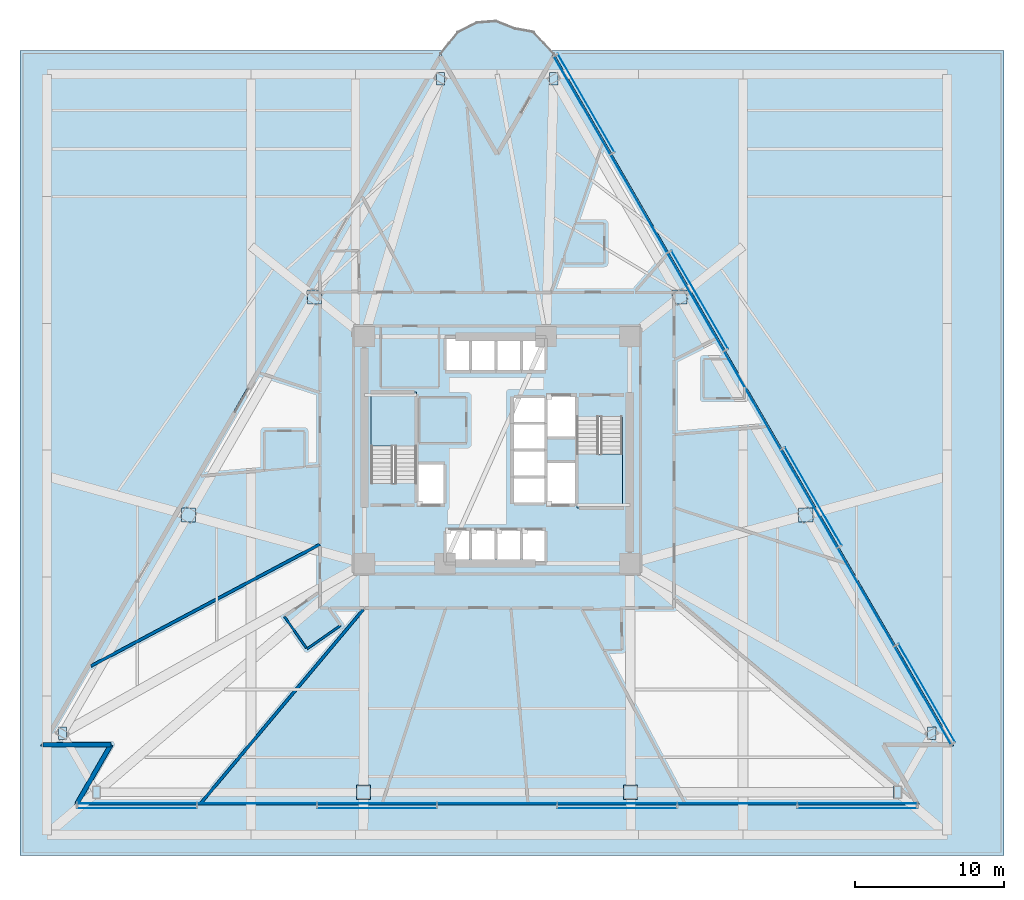
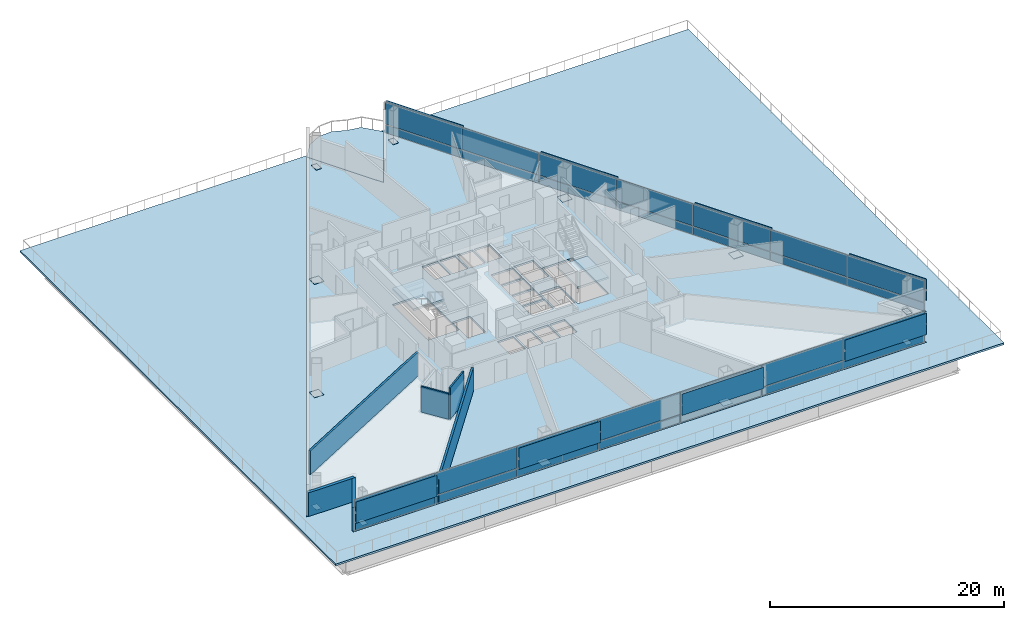
# One storey, part 8 of 19: 48 plates, 6 walls, 5 slabs, 4 elements without a shape of their own.
"""IFC4 building model written with IfcOpenShell, lengths in metres."""

from ifc_helpers import new_model, si_unit, direction, frame, frame_2d, origin, origin_2d, place, context, subcontext, project, spatial, polyline, rectangle, outline, extrude, material, layer, layer_set, type_object, element, aggregate, save


model = new_model("IFC4")

# Units and contexts
model_context = context("Model", 3, precision=1e-05, world=origin(), true_north=direction((0.0, 1.0)))
body_context = subcontext(model_context, "Body", "Model", "MODEL_VIEW")
ifc_project = project(units=[si_unit("LENGTHUNIT", "METRE"), si_unit("AREAUNIT", "SQUARE_METRE"), si_unit("VOLUMEUNIT", "CUBIC_METRE"), si_unit("PLANEANGLEUNIT", "RADIAN"), si_unit("MASSUNIT", "GRAM", prefix="KILO")], contexts=[model_context])

# Site, building, storey
site_placement = place(None, origin())
site = spatial("IfcSite", under=ifc_project, at=site_placement, CompositionType="ELEMENT")
building_placement = place(site_placement, origin())
building = spatial("IfcBuilding", under=site, at=building_placement, Name="Tharavind Bronze Gate", CompositionType="ELEMENT")
storey_placement = place(building_placement, frame((0.0, 0.0, 31.800048828125)))
storey = spatial("IfcBuildingStorey", under=building, at=storey_placement, Name="L06", CompositionType="ELEMENT", Elevation=31.800048828125)

# Plates
ifc_material_1 = material(Name="Perforated Bronze Alloy", Category="bronze")
ifc_layer_1 = layer(ifc_material_1, 0.011962890625)
ifc_layer_set_1 = layer_set([ifc_layer_1], Name="Perforated Bronze Alloy")
plate_type_1 = type_object("IfcPlateType", Name="BRONZE PERFORATED SOLAR SCREEN", PredefinedType="USERDEFINED", material=ifc_layer_set_1)
for number, where, z_axis, x_axis, name in (
    (1, (-24.150634765625, -24.014892578125, 0.973876953125), (0.0, 0.0, 1.0), (1.0, 0.0, 0.0), "CW-L06-S2 perforated bronze solar screen 1"),
    (2, (-8.05029296875, -24.014892578125, 0.973876953125), (0.0, 0.0, 1.0), (1.0, 0.0, 0.0), "CW-L06-S2 perforated bronze solar screen 3"),
    (3, (8.05029296875, -24.014892578125, 0.973876953125), (0.0, 0.0, 1.0), (1.0, 0.0, 0.0), "CW-L06-S2 perforated bronze solar screen 5"),
    (4, (24.150634765625, -24.014892578125, 0.973876953125), (0.0, 0.0, 1.0), (1.0, 0.0, 0.0), "CW-L06-S2 perforated bronze solar screen 7"),
):
    element("IfcPlate", number, at=place(storey_placement, frame(where, z_axis=z_axis, x_axis=x_axis)), inside=storey, type_object=plate_type_1, Name=name, ObjectType="SCREEN", PredefinedType="USERDEFINED", context=body_context, shape_type="SweptSolid", body=[
        extrude(rectangle(XDim=8.0302734375, YDim=0.011962890625, at=origin_2d()), origin(), (0.0, 0.0, 1.0), 2.22705078125),
    ])
for number, where, z_axis, x_axis, name in (
    (5, (28.82470703125, -16.295654296875, 0.973876953125), (0.0, 0.0, 1.0), (-0.500001511499, 0.866024531118, 0.0), "CW-L06-S3 perforated bronze solar screen 1"),
    (6, (21.208740234375, -3.1044921875, 0.973876953125), (0.0, 0.0, 1.0), (-0.500001511499, 0.866024531118, 0.0), "CW-L06-S3 perforated bronze solar screen 3"),
    (7, (13.5927734375, 10.086669921875, 0.973876953125), (0.0, 0.0, 1.0), (-0.500001511499, 0.866024531118, 0.0), "CW-L06-S3 perforated bronze solar screen 5"),
    (8, (5.976806640625, 23.27783203125, 0.973876953125), (0.0, 0.0, 1.0), (-0.500001511499, 0.866024531118, 0.0), "CW-L06-S3 perforated bronze solar screen 7"),
):
    element("IfcPlate", number, at=place(storey_placement, frame(where, z_axis=z_axis, x_axis=x_axis)), inside=storey, type_object=plate_type_1, Name=name, ObjectType="SCREEN", PredefinedType="USERDEFINED", context=body_context, shape_type="SweptSolid", body=[
        extrude(rectangle(XDim=7.595947265625, YDim=0.011962890625, at=origin_2d()), origin(), (0.0, 0.0, 1.0), 2.22705078125),
    ])

# Curtain wall, plates
ifc_material_2 = material(Name="Anodised Bronze Aluminium", Category="aluminium")
ifc_layer_2 = layer(ifc_material_2, 0.219970703125)
ifc_layer_set_2 = layer_set([ifc_layer_2], Name="Anodised Bronze Aluminium")
curtain_wall_type = type_object("IfcCurtainWallType", Name="UNITISED CURTAIN WALL HOTEL", PredefinedType="USERDEFINED", material=ifc_layer_set_2)
curtain_wall_1_placement = place(storey_placement, origin())
curtain_wall_1 = element("IfcCurtainWall", 9, at=curtain_wall_1_placement, inside=storey, type_object=curtain_wall_type, Name="L06 unitised curtain wall hotel CW-L06-S2", ObjectType="UNITISED CURTAIN WALL", PredefinedType="USERDEFINED")
ifc_material_3 = material(Name="Patinated Bronze Alloy Sheet", Category="bronze")
ifc_layer_3 = layer(ifc_material_3, 0.01611328125)
ifc_layer_set_3 = layer_set([ifc_layer_3], Name="Patinated Bronze Alloy Sheet")
plate_type_2 = type_object("IfcPlateType", Name="BRONZE SPANDREL CLADDING PANEL 16", PredefinedType="CURTAIN_PANEL", material=ifc_layer_set_3)
plate_1_placement = place(storey_placement, frame((-24.150634765625, -23.699951171875, 0.033935546875), z_axis=(0.0, 0.0, 1.0), x_axis=(1.0, 0.0, 0.0)))
plate_1 = element("IfcPlate", 10, at=plate_1_placement, type_object=plate_type_2, Name="CW-L06-S2 bronze spandrel panel 1", PredefinedType="CURTAIN_PANEL", context=body_context, shape_type="SweptSolid", body=[
    extrude(rectangle(XDim=7.982177734375, YDim=0.01611328125, at=origin_2d()), origin(), (0.0, 0.0, 1.0), 0.83203125),
])
plate_2_placement = place(storey_placement, frame((-16.1005859375, -23.699951171875, 0.033935546875), z_axis=(0.0, 0.0, 1.0), x_axis=(1.0, 0.0, 0.0)))
plate_2 = element("IfcPlate", 11, at=plate_2_placement, type_object=plate_type_2, Name="CW-L06-S2 bronze spandrel panel 2", PredefinedType="CURTAIN_PANEL", context=body_context, shape_type="SweptSolid", body=[
    extrude(rectangle(XDim=7.982177734375, YDim=0.01611328125, at=origin_2d()), origin(), (0.0, 0.0, 1.0), 0.83203125),
])
plate_3_placement = place(storey_placement, frame((-8.05029296875, -23.699951171875, 0.033935546875), z_axis=(0.0, 0.0, 1.0), x_axis=(1.0, 0.0, 0.0)))
plate_3 = element("IfcPlate", 12, at=plate_3_placement, type_object=plate_type_2, Name="CW-L06-S2 bronze spandrel panel 3", PredefinedType="CURTAIN_PANEL", context=body_context, shape_type="SweptSolid", body=[
    extrude(rectangle(XDim=7.982177734375, YDim=0.01611328125, at=origin_2d()), origin(), (0.0, 0.0, 1.0), 0.83203125),
])
plate_4_placement = place(storey_placement, frame((0.0, -23.699951171875, 0.033935546875), z_axis=(0.0, 0.0, 1.0), x_axis=(1.0, 0.0, 0.0)))
plate_4 = element("IfcPlate", 13, at=plate_4_placement, type_object=plate_type_2, Name="CW-L06-S2 bronze spandrel panel 4", PredefinedType="CURTAIN_PANEL", context=body_context, shape_type="SweptSolid", body=[
    extrude(rectangle(XDim=7.982177734375, YDim=0.01611328125, at=origin_2d()), origin(), (0.0, 0.0, 1.0), 0.83203125),
])
plate_5_placement = place(storey_placement, frame((8.05029296875, -23.699951171875, 0.033935546875), z_axis=(0.0, 0.0, 1.0), x_axis=(1.0, 0.0, 0.0)))
plate_5 = element("IfcPlate", 14, at=plate_5_placement, type_object=plate_type_2, Name="CW-L06-S2 bronze spandrel panel 5", PredefinedType="CURTAIN_PANEL", context=body_context, shape_type="SweptSolid", body=[
    extrude(rectangle(XDim=7.982177734375, YDim=0.01611328125, at=origin_2d()), origin(), (0.0, 0.0, 1.0), 0.83203125),
])
plate_6_placement = place(storey_placement, frame((16.1005859375, -23.699951171875, 0.033935546875), z_axis=(0.0, 0.0, 1.0), x_axis=(1.0, 0.0, 0.0)))
plate_6 = element("IfcPlate", 15, at=plate_6_placement, type_object=plate_type_2, Name="CW-L06-S2 bronze spandrel panel 6", PredefinedType="CURTAIN_PANEL", context=body_context, shape_type="SweptSolid", body=[
    extrude(rectangle(XDim=7.982177734375, YDim=0.01611328125, at=origin_2d()), origin(), (0.0, 0.0, 1.0), 0.83203125),
])
plate_7_placement = place(storey_placement, frame((24.150634765625, -23.699951171875, 0.033935546875), z_axis=(0.0, 0.0, 1.0), x_axis=(1.0, 0.0, 0.0)))
plate_7 = element("IfcPlate", 16, at=plate_7_placement, type_object=plate_type_2, Name="CW-L06-S2 bronze spandrel panel 7", PredefinedType="CURTAIN_PANEL", context=body_context, shape_type="SweptSolid", body=[
    extrude(rectangle(XDim=7.982177734375, YDim=0.01611328125, at=origin_2d()), origin(), (0.0, 0.0, 1.0), 0.83203125),
])

curtain_wall_2_placement = place(storey_placement, origin())
curtain_wall_2 = element("IfcCurtainWall", 17, at=curtain_wall_2_placement, inside=storey, type_object=curtain_wall_type, Name="L06 unitised curtain wall hotel CW-L06-S3", ObjectType="UNITISED CURTAIN WALL", PredefinedType="USERDEFINED")
plate_8_placement = place(storey_placement, frame((28.5517578125, -16.453125, 0.033935546875), z_axis=(0.0, 0.0, 1.0), x_axis=(-0.500001511499, 0.866024531118, 0.0)))
plate_8 = element("IfcPlate", 18, at=plate_8_placement, type_object=plate_type_2, Name="CW-L06-S3 bronze spandrel panel 1", PredefinedType="CURTAIN_PANEL", context=body_context, shape_type="SweptSolid", body=[
    extrude(rectangle(XDim=7.5478515625, YDim=0.01611328125, at=origin_2d()), origin(), (0.0, 0.0, 1.0), 0.83203125),
])
plate_9_placement = place(storey_placement, frame((24.743896484375, -9.857421875, 0.033935546875), z_axis=(0.0, 0.0, 1.0), x_axis=(-0.500001511499, 0.866024531118, 0.0)))
plate_9 = element("IfcPlate", 19, at=plate_9_placement, type_object=plate_type_2, Name="CW-L06-S3 bronze spandrel panel 2", PredefinedType="CURTAIN_PANEL", context=body_context, shape_type="SweptSolid", body=[
    extrude(rectangle(XDim=7.5478515625, YDim=0.01611328125, at=origin_2d()), origin(), (0.0, 0.0, 1.0), 0.83203125),
])
plate_10_placement = place(storey_placement, frame((20.935791015625, -3.261962890625, 0.033935546875), z_axis=(0.0, 0.0, 1.0), x_axis=(-0.500001511499, 0.866024531118, 0.0)))
plate_10 = element("IfcPlate", 20, at=plate_10_placement, type_object=plate_type_2, Name="CW-L06-S3 bronze spandrel panel 3", PredefinedType="CURTAIN_PANEL", context=body_context, shape_type="SweptSolid", body=[
    extrude(rectangle(XDim=7.5478515625, YDim=0.01611328125, at=origin_2d()), origin(), (0.0, 0.0, 1.0), 0.83203125),
])
plate_11_placement = place(storey_placement, frame((17.1279296875, 3.33349609375, 0.033935546875), z_axis=(0.0, 0.0, 1.0), x_axis=(-0.500001511499, 0.866024531118, 0.0)))
plate_11 = element("IfcPlate", 21, at=plate_11_placement, type_object=plate_type_2, Name="CW-L06-S3 bronze spandrel panel 4", PredefinedType="CURTAIN_PANEL", context=body_context, shape_type="SweptSolid", body=[
    extrude(rectangle(XDim=7.5478515625, YDim=0.01611328125, at=origin_2d()), origin(), (0.0, 0.0, 1.0), 0.83203125),
])
plate_12_placement = place(storey_placement, frame((13.31982421875, 9.92919921875, 0.033935546875), z_axis=(0.0, 0.0, 1.0), x_axis=(-0.500001511499, 0.866024531118, 0.0)))
plate_12 = element("IfcPlate", 22, at=plate_12_placement, type_object=plate_type_2, Name="CW-L06-S3 bronze spandrel panel 5", PredefinedType="CURTAIN_PANEL", context=body_context, shape_type="SweptSolid", body=[
    extrude(rectangle(XDim=7.5478515625, YDim=0.01611328125, at=origin_2d()), origin(), (0.0, 0.0, 1.0), 0.83203125),
])
plate_13_placement = place(storey_placement, frame((9.511962890625, 16.52490234375, 0.033935546875), z_axis=(0.0, 0.0, 1.0), x_axis=(-0.500001511499, 0.866024531118, 0.0)))
plate_13 = element("IfcPlate", 23, at=plate_13_placement, type_object=plate_type_2, Name="CW-L06-S3 bronze spandrel panel 6", PredefinedType="CURTAIN_PANEL", context=body_context, shape_type="SweptSolid", body=[
    extrude(rectangle(XDim=7.5478515625, YDim=0.01611328125, at=origin_2d()), origin(), (0.0, 0.0, 1.0), 0.83203125),
])
plate_14_placement = place(storey_placement, frame((5.7041015625, 23.120361328125, 0.033935546875), z_axis=(0.0, 0.0, 1.0), x_axis=(-0.500001511499, 0.866024531118, 0.0)))
plate_14 = element("IfcPlate", 24, at=plate_14_placement, type_object=plate_type_2, Name="CW-L06-S3 bronze spandrel panel 7", PredefinedType="CURTAIN_PANEL", context=body_context, shape_type="SweptSolid", body=[
    extrude(rectangle(XDim=7.5478515625, YDim=0.01611328125, at=origin_2d()), origin(), (0.0, 0.0, 1.0), 0.83203125),
])

# Plate
ifc_material_4 = material(Name="Low-E Double Glazing", Category="glass")
ifc_layer_4 = layer(ifc_material_4, 0.031982421875)
ifc_layer_set_4 = layer_set([ifc_layer_4], Name="Low-E Double Glazing")
plate_type_3 = type_object("IfcPlateType", Name="DOUBLE GLAZED FACADE PANEL 32", PredefinedType="CURTAIN_PANEL", material=ifc_layer_set_4)
plate_15_placement = place(storey_placement, frame((-24.150634765625, -23.699951171875, 0.93408203125), z_axis=(0.0, 0.0, 1.0), x_axis=(1.0, 0.0, 0.0)))
plate_15 = element("IfcPlate", 25, at=plate_15_placement, type_object=plate_type_3, Name="CW-L06-S2 vision glazing panel 1", PredefinedType="CURTAIN_PANEL", context=body_context, shape_type="SweptSolid", body=[
    extrude(rectangle(XDim=7.982177734375, YDim=0.031982421875, at=origin_2d()), origin(), (0.0, 0.0, 1.0), 2.306884765625),
])

plate_16_placement = place(storey_placement, frame((-16.1005859375, -23.699951171875, 0.93408203125), z_axis=(0.0, 0.0, 1.0), x_axis=(1.0, 0.0, 0.0)))
plate_16 = element("IfcPlate", 26, at=plate_16_placement, type_object=plate_type_3, Name="CW-L06-S2 vision glazing panel 2", PredefinedType="CURTAIN_PANEL", context=body_context, shape_type="SweptSolid", body=[
    extrude(rectangle(XDim=7.982177734375, YDim=0.031982421875, at=origin_2d()), origin(), (0.0, 0.0, 1.0), 2.306884765625),
])

plate_17_placement = place(storey_placement, frame((-8.05029296875, -23.699951171875, 0.93408203125), z_axis=(0.0, 0.0, 1.0), x_axis=(1.0, 0.0, 0.0)))
plate_17 = element("IfcPlate", 27, at=plate_17_placement, type_object=plate_type_3, Name="CW-L06-S2 vision glazing panel 3", PredefinedType="CURTAIN_PANEL", context=body_context, shape_type="SweptSolid", body=[
    extrude(rectangle(XDim=7.982177734375, YDim=0.031982421875, at=origin_2d()), origin(), (0.0, 0.0, 1.0), 2.306884765625),
])

plate_18_placement = place(storey_placement, frame((0.0, -23.699951171875, 0.93408203125), z_axis=(0.0, 0.0, 1.0), x_axis=(1.0, 0.0, 0.0)))
plate_18 = element("IfcPlate", 28, at=plate_18_placement, type_object=plate_type_3, Name="CW-L06-S2 vision glazing panel 4", PredefinedType="CURTAIN_PANEL", context=body_context, shape_type="SweptSolid", body=[
    extrude(rectangle(XDim=7.982177734375, YDim=0.031982421875, at=origin_2d()), origin(), (0.0, 0.0, 1.0), 2.306884765625),
])

plate_19_placement = place(storey_placement, frame((8.05029296875, -23.699951171875, 0.93408203125), z_axis=(0.0, 0.0, 1.0), x_axis=(1.0, 0.0, 0.0)))
plate_19 = element("IfcPlate", 29, at=plate_19_placement, type_object=plate_type_3, Name="CW-L06-S2 vision glazing panel 5", PredefinedType="CURTAIN_PANEL", context=body_context, shape_type="SweptSolid", body=[
    extrude(rectangle(XDim=7.982177734375, YDim=0.031982421875, at=origin_2d()), origin(), (0.0, 0.0, 1.0), 2.306884765625),
])

plate_20_placement = place(storey_placement, frame((16.1005859375, -23.699951171875, 0.93408203125), z_axis=(0.0, 0.0, 1.0), x_axis=(1.0, 0.0, 0.0)))
plate_20 = element("IfcPlate", 30, at=plate_20_placement, type_object=plate_type_3, Name="CW-L06-S2 vision glazing panel 6", PredefinedType="CURTAIN_PANEL", context=body_context, shape_type="SweptSolid", body=[
    extrude(rectangle(XDim=7.982177734375, YDim=0.031982421875, at=origin_2d()), origin(), (0.0, 0.0, 1.0), 2.306884765625),
])

plate_21_placement = place(storey_placement, frame((24.150634765625, -23.699951171875, 0.93408203125), z_axis=(0.0, 0.0, 1.0), x_axis=(1.0, 0.0, 0.0)))
plate_21 = element("IfcPlate", 31, at=plate_21_placement, type_object=plate_type_3, Name="CW-L06-S2 vision glazing panel 7", PredefinedType="CURTAIN_PANEL", context=body_context, shape_type="SweptSolid", body=[
    extrude(rectangle(XDim=7.982177734375, YDim=0.031982421875, at=origin_2d()), origin(), (0.0, 0.0, 1.0), 2.306884765625),
])

aggregate(curtain_wall_1, [plate_1, plate_15, plate_2, plate_16, plate_3, plate_17, plate_4, plate_18, plate_5, plate_19, plate_6, plate_20, plate_7, plate_21])

plate_22_placement = place(storey_placement, frame((28.5517578125, -16.453125, 0.93408203125), z_axis=(0.0, 0.0, 1.0), x_axis=(-0.500001511499, 0.866024531118, 0.0)))
plate_22 = element("IfcPlate", 32, at=plate_22_placement, type_object=plate_type_3, Name="CW-L06-S3 vision glazing panel 1", PredefinedType="CURTAIN_PANEL", context=body_context, shape_type="SweptSolid", body=[
    extrude(rectangle(XDim=7.5478515625, YDim=0.031982421875, at=origin_2d()), origin(), (0.0, 0.0, 1.0), 2.306884765625),
])

plate_23_placement = place(storey_placement, frame((24.743896484375, -9.857421875, 0.93408203125), z_axis=(0.0, 0.0, 1.0), x_axis=(-0.500001511499, 0.866024531118, 0.0)))
plate_23 = element("IfcPlate", 33, at=plate_23_placement, type_object=plate_type_3, Name="CW-L06-S3 vision glazing panel 2", PredefinedType="CURTAIN_PANEL", context=body_context, shape_type="SweptSolid", body=[
    extrude(rectangle(XDim=7.5478515625, YDim=0.031982421875, at=origin_2d()), origin(), (0.0, 0.0, 1.0), 2.306884765625),
])

plate_24_placement = place(storey_placement, frame((20.935791015625, -3.261962890625, 0.93408203125), z_axis=(0.0, 0.0, 1.0), x_axis=(-0.500001511499, 0.866024531118, 0.0)))
plate_24 = element("IfcPlate", 34, at=plate_24_placement, type_object=plate_type_3, Name="CW-L06-S3 vision glazing panel 3", PredefinedType="CURTAIN_PANEL", context=body_context, shape_type="SweptSolid", body=[
    extrude(rectangle(XDim=7.5478515625, YDim=0.031982421875, at=origin_2d()), origin(), (0.0, 0.0, 1.0), 2.306884765625),
])

plate_25_placement = place(storey_placement, frame((17.1279296875, 3.33349609375, 0.93408203125), z_axis=(0.0, 0.0, 1.0), x_axis=(-0.500001511499, 0.866024531118, 0.0)))
plate_25 = element("IfcPlate", 35, at=plate_25_placement, type_object=plate_type_3, Name="CW-L06-S3 vision glazing panel 4", PredefinedType="CURTAIN_PANEL", context=body_context, shape_type="SweptSolid", body=[
    extrude(rectangle(XDim=7.5478515625, YDim=0.031982421875, at=origin_2d()), origin(), (0.0, 0.0, 1.0), 2.306884765625),
])

plate_26_placement = place(storey_placement, frame((13.31982421875, 9.92919921875, 0.93408203125), z_axis=(0.0, 0.0, 1.0), x_axis=(-0.500001511499, 0.866024531118, 0.0)))
plate_26 = element("IfcPlate", 36, at=plate_26_placement, type_object=plate_type_3, Name="CW-L06-S3 vision glazing panel 5", PredefinedType="CURTAIN_PANEL", context=body_context, shape_type="SweptSolid", body=[
    extrude(rectangle(XDim=7.5478515625, YDim=0.031982421875, at=origin_2d()), origin(), (0.0, 0.0, 1.0), 2.306884765625),
])

plate_27_placement = place(storey_placement, frame((9.511962890625, 16.52490234375, 0.93408203125), z_axis=(0.0, 0.0, 1.0), x_axis=(-0.500001511499, 0.866024531118, 0.0)))
plate_27 = element("IfcPlate", 37, at=plate_27_placement, type_object=plate_type_3, Name="CW-L06-S3 vision glazing panel 6", PredefinedType="CURTAIN_PANEL", context=body_context, shape_type="SweptSolid", body=[
    extrude(rectangle(XDim=7.5478515625, YDim=0.031982421875, at=origin_2d()), origin(), (0.0, 0.0, 1.0), 2.306884765625),
])

plate_28_placement = place(storey_placement, frame((5.7041015625, 23.120361328125, 0.93408203125), z_axis=(0.0, 0.0, 1.0), x_axis=(-0.500001511499, 0.866024531118, 0.0)))
plate_28 = element("IfcPlate", 38, at=plate_28_placement, type_object=plate_type_3, Name="CW-L06-S3 vision glazing panel 7", PredefinedType="CURTAIN_PANEL", context=body_context, shape_type="SweptSolid", body=[
    extrude(rectangle(XDim=7.5478515625, YDim=0.031982421875, at=origin_2d()), origin(), (0.0, 0.0, 1.0), 2.306884765625),
])

aggregate(curtain_wall_2, [plate_8, plate_22, plate_9, plate_23, plate_10, plate_24, plate_11, plate_25, plate_12, plate_26, plate_13, plate_27, plate_14, plate_28])

# Slabs
ifc_material_5 = material(Name="Concrete C40/50", Category="concrete")
ifc_layer_5 = layer(ifc_material_5, 0.175048828125)
ifc_layer_set_5 = layer_set([ifc_layer_5], Name="Concrete C40/50")
slab_type_1 = type_object("IfcSlabType", Name="EXTERIOR BALCONY SLAB 175", PredefinedType="FLOOR", material=ifc_layer_set_5)
slab_1_placement = place(storey_placement, frame((0.0, 0.0, -0.175048828125)))
element("IfcSlab", 39, at=slab_1_placement, inside=storey, type_object=slab_type_1, Name="L06 northeast tree balcony slab", PredefinedType="FLOOR", context=body_context, shape_type="SweptSolid", body=[
    extrude(outline(polyline([(2.44384765625, 28.1181640625), (1.17724609375, 28.349609375), (-0.089599609375, 28.847900390625), (-1.356201171875, 28.7490234375), (-2.622802734375, 28.1181640625), (-3.800048828125, 26.6181640625), (0.0, 20.036376953125), (3.800048828125, 26.6181640625), (2.44384765625, 28.1181640625)])), origin(), (0.0, 0.0, 1.0), 0.175048828125),
])
ifc_layer_6 = layer(ifc_material_5, 0.195068359375)
ifc_layer_set_6 = layer_set([ifc_layer_6], Name="Concrete C40/50")
slab_type_2 = type_object("IfcSlabType", Name="EXTERIOR TERRACE SLAB 195", PredefinedType="FLOOR", material=ifc_layer_set_6)
slab_2_placement = place(storey_placement, frame((0.0, 0.0, -0.195068359375)))
element("IfcSlab", 40, at=slab_2_placement, inside=storey, type_object=slab_type_2, Name="L06 podium sky garden terrace slab 1", PredefinedType="FLOOR", context=body_context, shape_type="SweptSolid", body=[
    extrude(outline(polyline([(34.0, 26.800048828125), (34.0, -27.199951171875), (-32.0, -27.199951171875), (-32.0, 26.800048828125), (-3.6572265625, 26.800048828125), (-3.800048828125, 26.6181640625), (-30.62890625, -19.850830078125), (-26.069091796875, -19.850830078125), (-28.34912109375, -23.800048828125), (28.34912109375, -23.800048828125), (26.069091796875, -19.850830078125), (30.62890625, -19.850830078125), (3.800048828125, 26.6181640625), (3.635498046875, 26.800048828125), (34.0, 26.800048828125)])), origin(), (0.0, 0.0, 1.0), 0.195068359375),
])

# Stair, slab
stair_type = type_object("IfcStairType", Name="CORE HALF TURN STAIR 1450", PredefinedType="HALF_TURN_STAIR", material=ifc_material_5)
stair_1_placement = place(storey_placement, origin())
stair_1 = element("IfcStair", 41, at=stair_1_placement, inside=storey, type_object=stair_type, Name="L06 Protected Exit Stair ST1", PredefinedType="HALF_TURN_STAIR")
ifc_layer_7 = layer(ifc_material_5, 0.199951171875)
ifc_layer_set_7 = layer_set([ifc_layer_7], Name="Concrete C40/50")
slab_type_3 = type_object("IfcSlabType", Name="STAIR LANDING SLAB 200", PredefinedType="LANDING", material=ifc_layer_set_7)
slab_3_placement = place(storey_placement, frame((0.0, 0.0, 1.52490234375)))
slab_3 = element("IfcSlab", 42, at=slab_3_placement, type_object=slab_type_3, Name="ST1 landing 1", PredefinedType="LANDING", context=body_context, shape_type="SweptSolid", body=[
    extrude(outline(polyline([(-5.39990234375, 0.27001953125), (-5.39990234375, 3.89990234375), (-8.449951171875, 3.89990234375), (-8.449951171875, 0.27001953125), (-5.39990234375, 0.27001953125)])), origin(), (0.0, 0.0, 1.0), 0.199951171875),
])
aggregate(stair_1, [slab_3])

stair_2_placement = place(storey_placement, origin())
stair_2 = element("IfcStair", 43, at=stair_2_placement, inside=storey, type_object=stair_type, Name="L06 Protected Exit Stair ST2", PredefinedType="HALF_TURN_STAIR")
slab_4_placement = place(storey_placement, frame((0.0, 0.0, 1.52490234375)))
slab_4 = element("IfcSlab", 44, at=slab_4_placement, type_object=slab_type_3, Name="ST2 landing 1", PredefinedType="LANDING", context=body_context, shape_type="SweptSolid", body=[
    extrude(outline(polyline([(5.35009765625, -0.27001953125), (5.35009765625, -3.89990234375), (8.39990234375, -3.89990234375), (8.39990234375, -0.27001953125), (5.35009765625, -0.27001953125)])), origin(), (0.0, 0.0, 1.0), 0.199951171875),
])
aggregate(stair_2, [slab_4])

# Plates
ifc_material_6 = material(Name="Steel S460", Category="steel")
ifc_layer_8 = layer(ifc_material_6, 0.02490234375)
ifc_layer_set_8 = layer_set([ifc_layer_8], Name="Steel S460")
plate_type_4 = type_object("IfcPlateType", Name="STEEL END CAP SHEET 25", PredefinedType="SHEET", material=ifc_layer_set_8)
plate_29_placement = place(storey_placement, frame((-3.800048828125, 24.918212890625, -0.012451171875), z_axis=(0.0, 0.0, 1.0), x_axis=(1.0, 0.0, 0.0)))
element("IfcPlate", 45, at=plate_29_placement, inside=storey, type_object=plate_type_4, Name="Steel end cap plate CAP-COLB-L06-S1C1", PredefinedType="SHEET", context=body_context, shape_type="SweptSolid", body=[
    extrude(rectangle(XDim=0.544921875, YDim=0.844970703125, at=origin_2d()), origin(), (0.0, 0.0, 1.0), 0.02490234375),
])
for number, where, z_axis, x_axis, name in (
    (46, (-12.252197265625, 10.278564453125, -0.012451171875), (0.0, 0.0, 1.0), (1.0, 0.0, 0.0), "Steel end cap plate CAP-COLB-L06-S1C2"),
    (47, (-20.70458984375, -4.361083984375, -0.012451171875), (0.0, 0.0, 1.0), (1.0, 0.0, 0.0), "Steel end cap plate CAP-COLB-L06-S1C3"),
):
    element("IfcPlate", number, at=place(storey_placement, frame(where, z_axis=z_axis, x_axis=x_axis)), inside=storey, type_object=plate_type_4, Name=name, PredefinedType="SHEET", context=body_context, shape_type="SweptSolid", body=[
        extrude(rectangle(XDim=0.945068359375, YDim=0.945068359375, at=origin_2d()), origin(), (0.0, 0.0, 1.0), 0.02490234375),
    ])
for number, where, z_axis, x_axis, name in (
    (48, (-29.15673828125, -19.0009765625, -0.012451171875), (0.0, 0.0, 1.0), (1.0, 0.0, 0.0), "Steel end cap plate CAP-COLB-L06-S1C4"),
    (49, (-26.876708984375, -22.949951171875, -0.012451171875), (0.0, 0.0, 1.0), (1.0, 0.0, 0.0), "Steel end cap plate CAP-COLB-L06-S2C1"),
):
    element("IfcPlate", number, at=place(storey_placement, frame(where, z_axis=z_axis, x_axis=x_axis)), inside=storey, type_object=plate_type_4, Name=name, PredefinedType="SHEET", context=body_context, shape_type="SweptSolid", body=[
        extrude(rectangle(XDim=0.544921875, YDim=0.844970703125, at=origin_2d()), origin(), (0.0, 0.0, 1.0), 0.02490234375),
    ])
for number, where, z_axis, x_axis, name in (
    (50, (-8.958984375, -22.949951171875, -0.012451171875), (0.0, 0.0, 1.0), (1.0, 0.0, 0.0), "Steel end cap plate CAP-COLB-L06-S2C2"),
    (51, (8.958984375, -22.949951171875, -0.012451171875), (0.0, 0.0, 1.0), (1.0, 0.0, 0.0), "Steel end cap plate CAP-COLB-L06-S2C3"),
):
    element("IfcPlate", number, at=place(storey_placement, frame(where, z_axis=z_axis, x_axis=x_axis)), inside=storey, type_object=plate_type_4, Name=name, PredefinedType="SHEET", context=body_context, shape_type="SweptSolid", body=[
        extrude(rectangle(XDim=0.945068359375, YDim=0.945068359375, at=origin_2d()), origin(), (0.0, 0.0, 1.0), 0.02490234375),
    ])
for number, where, z_axis, x_axis, name in (
    (52, (26.876708984375, -22.949951171875, -0.012451171875), (0.0, 0.0, 1.0), (1.0, 0.0, 0.0), "Steel end cap plate CAP-COLB-L06-S2C4"),
    (53, (29.15673828125, -19.0009765625, -0.012451171875), (0.0, 0.0, 1.0), (1.0, 0.0, 0.0), "Steel end cap plate CAP-COLB-L06-S3C1"),
):
    element("IfcPlate", number, at=place(storey_placement, frame(where, z_axis=z_axis, x_axis=x_axis)), inside=storey, type_object=plate_type_4, Name=name, PredefinedType="SHEET", context=body_context, shape_type="SweptSolid", body=[
        extrude(rectangle(XDim=0.544921875, YDim=0.844970703125, at=origin_2d()), origin(), (0.0, 0.0, 1.0), 0.02490234375),
    ])
for number, where, z_axis, x_axis, name in (
    (54, (20.70458984375, -4.361083984375, -0.012451171875), (0.0, 0.0, 1.0), (1.0, 0.0, 0.0), "Steel end cap plate CAP-COLB-L06-S3C2"),
    (55, (12.252197265625, 10.278564453125, -0.012451171875), (0.0, 0.0, 1.0), (1.0, 0.0, 0.0), "Steel end cap plate CAP-COLB-L06-S3C3"),
):
    element("IfcPlate", number, at=place(storey_placement, frame(where, z_axis=z_axis, x_axis=x_axis)), inside=storey, type_object=plate_type_4, Name=name, PredefinedType="SHEET", context=body_context, shape_type="SweptSolid", body=[
        extrude(rectangle(XDim=0.945068359375, YDim=0.945068359375, at=origin_2d()), origin(), (0.0, 0.0, 1.0), 0.02490234375),
    ])
plate_30_placement = place(storey_placement, frame((3.800048828125, 24.918212890625, -0.012451171875), z_axis=(0.0, 0.0, 1.0), x_axis=(1.0, 0.0, 0.0)))
element("IfcPlate", 56, at=plate_30_placement, inside=storey, type_object=plate_type_4, Name="Steel end cap plate CAP-COLB-L06-S3C4", PredefinedType="SHEET", context=body_context, shape_type="SweptSolid", body=[
    extrude(rectangle(XDim=0.544921875, YDim=0.844970703125, at=origin_2d()), origin(), (0.0, 0.0, 1.0), 0.02490234375),
])

# Slab
ifc_layer_9 = layer(ifc_material_5, 0.18994140625)
ifc_layer_set_9 = layer_set([ifc_layer_9], Name="Concrete C40/50")
slab_type_4 = type_object("IfcSlabType", Name="STRUCTURAL FLOOR SLAB 190", PredefinedType="FLOOR", material=ifc_layer_set_9)
slab_5_placement = place(storey_placement, frame((0.0, 0.0, -0.18994140625)))
element("IfcSlab", 57, at=slab_5_placement, inside=storey, type_object=slab_type_4, Name="L06 main structural floor slab", PredefinedType="FLOOR", context=body_context, shape_type="SweptSolid", body=[
    extrude(outline(polyline([(3.800048828125, 26.6181640625), (0.0, 20.036376953125), (-3.800048828125, 26.6181640625), (-30.62890625, -19.850830078125), (-26.069091796875, -19.850830078125), (-28.34912109375, -23.800048828125), (28.34912109375, -23.800048828125), (26.069091796875, -19.850830078125), (30.62890625, -19.850830078125), (3.800048828125, 26.6181640625)]), holes=[polyline([(-5.39990234375, -2.215087890625), (-5.39990234375, 3.89990234375), (-8.449951171875, 3.89990234375), (-8.449951171875, -2.215087890625), (-5.39990234375, -2.215087890625)]), polyline([(5.35009765625, 2.215087890625), (5.35009765625, -3.89990234375), (8.39990234375, -3.89990234375), (8.39990234375, 2.215087890625), (5.35009765625, 2.215087890625)]), polyline([(-3.419921875, -7.52001953125), (-1.867431640625, -7.52001953125), (-1.867431640625, -5.3798828125), (-3.419921875, -5.3798828125), (-3.419921875, -7.52001953125)]), polyline([(-1.70751953125, -7.52001953125), (-0.155029296875, -7.52001953125), (-0.155029296875, -5.3798828125), (-1.70751953125, -5.3798828125), (-1.70751953125, -7.52001953125)]), polyline([(0.0048828125, -7.52001953125), (1.5576171875, -7.52001953125), (1.5576171875, -5.3798828125), (0.0048828125, -5.3798828125), (0.0048828125, -7.52001953125)]), polyline([(1.717529296875, -7.52001953125), (3.199951171875, -7.52001953125), (3.199951171875, -5.3798828125), (1.717529296875, -5.3798828125), (1.717529296875, -7.52001953125)]), polyline([(-3.419921875, 5.330078125), (-1.867431640625, 5.330078125), (-1.867431640625, 7.52001953125), (-3.419921875, 7.52001953125), (-3.419921875, 5.330078125)]), polyline([(-1.70751953125, 5.330078125), (-0.155029296875, 5.330078125), (-0.155029296875, 7.52001953125), (-1.70751953125, 7.52001953125), (-1.70751953125, 5.330078125)]), polyline([(0.0048828125, 5.330078125), (1.5576171875, 5.330078125), (1.5576171875, 7.52001953125), (0.0048828125, 7.52001953125), (0.0048828125, 5.330078125)]), polyline([(1.717529296875, 5.330078125), (3.199951171875, 5.330078125), (3.199951171875, 7.52001953125), (1.717529296875, 7.52001953125), (1.717529296875, 5.330078125)]), polyline([(1.080078125, -3.52001953125), (3.199951171875, -3.52001953125), (3.199951171875, -1.8798828125), (1.080078125, -1.8798828125), (1.080078125, -3.52001953125)]), polyline([(1.080078125, -1.719970703125), (3.199951171875, -1.719970703125), (3.199951171875, -0.080078125), (1.080078125, -0.080078125), (1.080078125, -1.719970703125)]), polyline([(1.080078125, 0.080078125), (3.199951171875, 0.080078125), (3.199951171875, 1.719970703125), (1.080078125, 1.719970703125), (1.080078125, 0.080078125)]), polyline([(1.080078125, 1.8798828125), (3.199951171875, 1.8798828125), (3.199951171875, 3.52001953125), (1.080078125, 3.52001953125), (1.080078125, 1.8798828125)]), polyline([(-5.320068359375, -3.6201171875), (-3.580078125, -3.6201171875), (-3.580078125, -0.929931640625), (-5.320068359375, -0.929931640625), (-5.320068359375, -3.6201171875)]), polyline([(3.360107421875, 0.8798828125), (5.27001953125, 0.8798828125), (5.27001953125, 3.6201171875), (3.360107421875, 3.6201171875), (3.360107421875, 0.8798828125)]), polyline([(3.360107421875, -3.6201171875), (5.27001953125, -3.6201171875), (5.27001953125, -0.830078125), (3.360107421875, -0.830078125), (3.360107421875, -3.6201171875)])]), origin(), (0.0, 0.0, 1.0), 0.18994140625),
])

# Walls
ifc_layer_10 = layer(ifc_material_5, 0.300048828125)
ifc_layer_set_10 = layer_set([ifc_layer_10], Name="Concrete C40/50")
wall_type_1 = type_object("IfcWallType", Name="EXTERIOR SPANDREL WALL 300", PredefinedType="STANDARD", material=ifc_layer_set_10)
wall_1_placement = place(storey_placement, frame((-30.455810546875, -19.7509765625, 0.0), z_axis=(0.0, 0.0, 1.0), x_axis=(1.0, 0.0, 0.0)))
element("IfcWall", 58, at=wall_1_placement, inside=storey, type_object=wall_type_1, Name="L06 notch cheek wall 2A", PredefinedType="STANDARD", context=body_context, shape_type="SweptSolid", body=[
    extrude(rectangle(XDim=4.56005859375, YDim=0.300048828125, at=frame_2d((2.280029296875, 0.0))), origin(), (0.0, 0.0, 1.0), 2.469970703125),
])
wall_2_placement = place(storey_placement, frame((-25.895751953125, -19.7509765625, 0.0), z_axis=(0.0, 0.0, 1.0), x_axis=(-0.500014431597, -0.866017071537, 0.0)))
element("IfcWall", 59, at=wall_2_placement, inside=storey, type_object=wall_type_1, Name="L06 notch cheek wall 2B", PredefinedType="STANDARD", context=body_context, shape_type="SweptSolid", body=[
    extrude(rectangle(XDim=4.559814453125, YDim=0.300048828125, at=frame_2d((2.27978515625, 0.0))), origin(), (0.0, 0.0, 1.0), 2.469970703125),
])
ifc_material_7 = material(Name="Aerated Concrete Block", Category="concrete")
ifc_layer_11 = layer(ifc_material_7, 0.199951171875)
ifc_layer_set_11 = layer_set([ifc_layer_11], Name="Aerated Concrete Block")
wall_type_2 = type_object("IfcWallType", Name="FIRE RATED PARTITION 200", PredefinedType="PARTITIONING", material=ifc_layer_set_11)
wall_3_placement = place(storey_placement, frame((-11.893310546875, -6.32373046875, 0.0), z_axis=(0.0, 0.0, 1.0), x_axis=(-0.882947372325, -0.46947197755, 0.0)))
element("IfcWall", 60, at=wall_3_placement, inside=storey, type_object=wall_type_2, Name="L06 Public Restrooms Block partition", PredefinedType="PARTITIONING", context=body_context, shape_type="SweptSolid", body=[
    extrude(rectangle(XDim=17.374267578125, YDim=0.199951171875, at=frame_2d((8.68701171875, 0.0))), origin(), (0.0, 0.0, 1.0), 2.469970703125),
])
wall_4_placement = place(storey_placement, frame((-8.9658203125, -10.68505859375, 0.0), z_axis=(0.0, 0.0, 1.0), x_axis=(-0.642784617016, -0.766046954258, 0.0)))
element("IfcWall", 61, at=wall_4_placement, inside=storey, type_object=wall_type_2, Name="L06 Deluxe Hotel Suite partition", PredefinedType="PARTITIONING", context=body_context, shape_type="SweptSolid", body=[
    extrude(rectangle(XDim=16.978271484375, YDim=0.199951171875, at=frame_2d((8.4892578125, 0.0))), origin(), (0.0, 0.0, 1.0), 2.469970703125),
])
ifc_material_8 = material(Name="Twin Stud Acoustic Gypsum", Category="gypsum")
ifc_layer_12 = layer(ifc_material_8, 0.14990234375)
ifc_layer_set_12 = layer_set([ifc_layer_12], Name="Twin Stud Acoustic Gypsum")
wall_type_3 = type_object("IfcWallType", Name="INTERIOR PARTITION WALL 150", PredefinedType="PARTITIONING", material=ifc_layer_set_12)
wall_5_placement = place(storey_placement, frame((-10.494384765625, -11.760498046875, 0.0), z_axis=(0.0, 0.0, 1.0), x_axis=(-0.819398712469, -0.573223996361, 0.0)))
element("IfcWall", 62, at=wall_5_placement, inside=storey, type_object=wall_type_3, Name="L06 En-Suite Bathroom partition", PredefinedType="PARTITIONING", context=body_context, shape_type="SweptSolid", body=[
    extrude(rectangle(XDim=2.75, YDim=0.14990234375, at=frame_2d((1.375, 0.0))), origin(), (0.0, 0.0, 1.0), 3.27490234375),
])
wall_6_placement = place(storey_placement, frame((-12.793701171875, -13.271240234375, 0.0), z_axis=(0.0, 0.0, 1.0), x_axis=(-0.573130756233, 0.819463932251, 0.0)))
element("IfcWall", 63, at=wall_6_placement, inside=storey, type_object=wall_type_3, Name="L06 En-Suite Bathroom partition", PredefinedType="PARTITIONING", context=body_context, shape_type="SweptSolid", body=[
    extrude(rectangle(XDim=2.56982421875, YDim=0.14990234375, at=frame_2d((1.284912109375, 0.0))), origin(), (0.0, 0.0, 1.0), 2.669921875),
])

save(model, "model.ifc")
